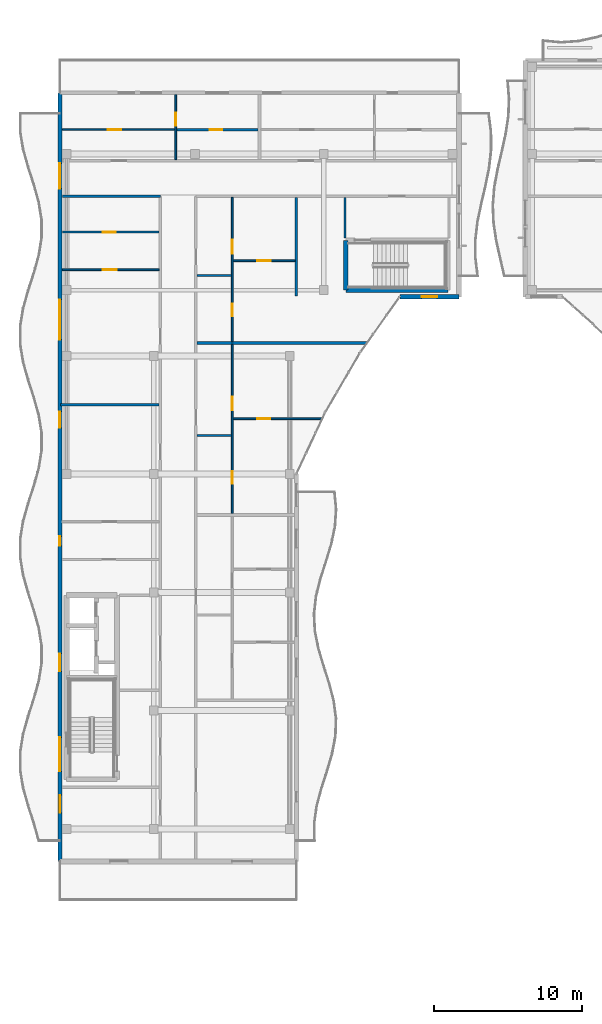
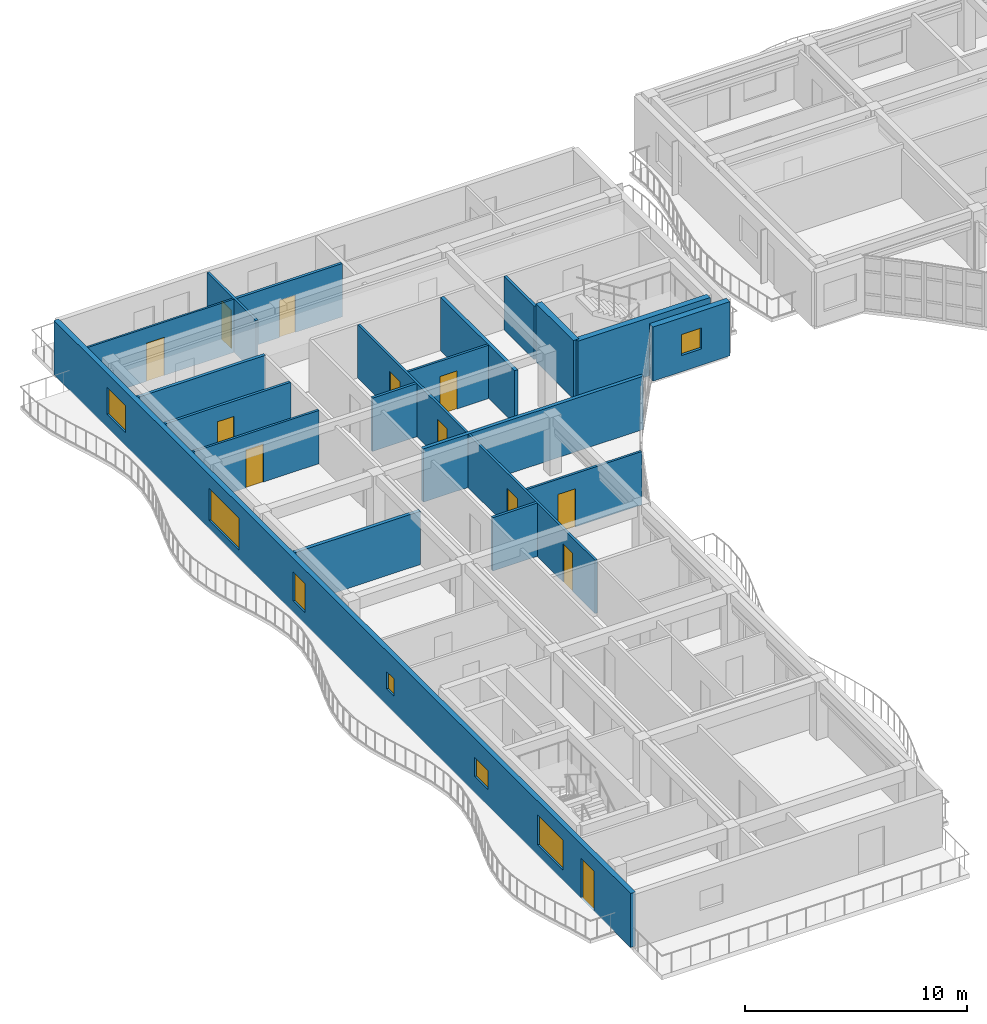
# One storey, part 33 of 71: 20 walls, 12 doors, 7 windows, 19 openings.
"""IFC4 building model written with IfcOpenShell, lengths in metres."""

from ifc_helpers import new_model, si_unit, direction, frame, frame_2d, origin, place, context, subcontext, project, spatial, rectangle, extrude, material, layer, layer_set, type_object, element, fill, save


model = new_model("IFC4")

# Units and contexts
model_context = context("Model", 3, precision=1e-05, world=origin(), true_north=direction((0.0, 1.0)))
body_context = subcontext(model_context, "Body", "Model", "MODEL_VIEW")
ifc_project = project(units=[si_unit("LENGTHUNIT", "METRE"), si_unit("AREAUNIT", "SQUARE_METRE"), si_unit("VOLUMEUNIT", "CUBIC_METRE"), si_unit("PLANEANGLEUNIT", "RADIAN"), si_unit("MASSUNIT", "GRAM", prefix="KILO")], contexts=[model_context])

# Site, building, storey
site_placement = place(None, origin())
site = spatial("IfcSite", under=ifc_project, at=site_placement, CompositionType="ELEMENT")
building_placement = place(site_placement, origin())
building = spatial("IfcBuilding", under=site, at=building_placement, Name="Keldmere Railside Commons", CompositionType="ELEMENT")
storey_placement = place(building_placement, frame((0.0, 0.0, 20.159912109375)))
storey = spatial("IfcBuildingStorey", under=building, at=storey_placement, Name="L06", CompositionType="ELEMENT", Elevation=20.159912109375)

# Walls
ifc_material_1 = material(Name="Acoustic Gypsum Board Partition", Category="gypsum")
ifc_layer_1 = layer(ifc_material_1, 0.179931640625, Name="Acoustic Demising Partition 180")
ifc_layer_set_1 = layer_set([ifc_layer_1], Name="Acoustic Gypsum Board Partition")
wall_type_1 = type_object("IfcWallType", Name="Acoustic Demising Partition 180", PredefinedType="PARTITIONING", material=ifc_layer_set_1)
wall_1_placement = place(storey_placement, frame((24.0, 100.050048828125, 0.0), z_axis=(0.0, 0.0, 1.0), x_axis=(0.0, 1.0, 0.0)))
element("IfcWall", 1, at=wall_1_placement, inside=storey, type_object=wall_type_1, Name="IW-1 IW-L06-0413", PredefinedType="PARTITIONING", context=body_context, shape_type="SweptSolid", body=[
    extrude(rectangle(XDim=6.669921875, YDim=0.179931640625, at=frame_2d((3.3349609375, 0.0))), origin(), (0.0, 0.0, 1.0), 2.93505859375),
])
wall_2_placement = place(storey_placement, frame((17.280029296875, 96.8701171875, 0.0), z_axis=(0.0, 0.0, 1.0), x_axis=(1.0, 0.0, 0.0)))
element("IfcWall", 2, at=wall_2_placement, inside=storey, type_object=wall_type_1, Name="IW-1 IW-L06-0418", PredefinedType="PARTITIONING", context=body_context, shape_type="SweptSolid", body=[
    extrude(rectangle(XDim=11.44873046875, YDim=0.179931640625, at=frame_2d((5.724365234375, 0.0))), origin(), (0.0, 0.0, 1.0), 2.93505859375),
])
wall_3_placement = place(storey_placement, frame((8.0400390625, 92.699951171875, 0.0), z_axis=(0.0, 0.0, 1.0), x_axis=(1.0, 0.0, 0.0)))
element("IfcWall", 3, at=wall_3_placement, inside=storey, type_object=wall_type_1, Name="IW-1 IW-L06-0436", PredefinedType="PARTITIONING", context=body_context, shape_type="SweptSolid", body=[
    extrude(rectangle(XDim=6.679931640625, YDim=0.179931640625, at=frame_2d((3.33984375, 0.0))), origin(), (0.0, 0.0, 1.0), 2.93505859375),
])

# Wall, openings, doors
ifc_layer_2 = layer(ifc_material_1, 0.1201171875, Name="Apartment Interior Partition 120")
ifc_layer_set_2 = layer_set([ifc_layer_2], Name="Acoustic Gypsum Board Partition")
wall_type_2 = type_object("IfcWallType", Name="Apartment Interior Partition 120", PredefinedType="PARTITIONING", material=ifc_layer_set_2)
wall_4_placement = place(storey_placement, frame((19.659912109375, 85.330078125, 0.0), z_axis=(0.0, 0.0, 1.0), x_axis=(0.0, 1.0, 0.0)))
wall_4 = element("IfcWall", 4, at=wall_4_placement, inside=storey, type_object=wall_type_2, Name="IW-4 IW-L06-0423", PredefinedType="PARTITIONING", context=body_context, shape_type="SweptSolid", body=[
    extrude(rectangle(XDim=11.449951171875, YDim=0.1201171875, at=frame_2d((5.72509765625, 0.0))), origin(), (0.0, 0.0, 1.0), 2.93505859375),
])
opening_1_placement = place(wall_4_placement, frame((2.002685546875, 0.0, 0.0)))
opening_1 = element("IfcOpeningElement", 5, at=opening_1_placement, cuts=wall_4, Name="Opening ID-04", PredefinedType="OPENING", context=body_context, shape_type="SweptSolid", body=[
    extrude(rectangle(XDim=0.860107421875, YDim=2.10009765625, at=frame_2d((0.43017578125, 1.050048828125))), frame((0.0, 0.070068359375, 0.0), z_axis=(0.0, -1.0, 0.0), x_axis=(1.0, 0.0, 0.0)), (0.0, 0.0, 1.0), 0.14013671875),
])
opening_2_placement = place(wall_4_placement, frame((7.00048828125, 0.0, 0.0)))
opening_2 = element("IfcOpeningElement", 6, at=opening_2_placement, cuts=wall_4, Name="Opening ID-03", PredefinedType="OPENING", context=body_context, shape_type="SweptSolid", body=[
    extrude(rectangle(XDim=0.919921875, YDim=2.10009765625, at=frame_2d((0.4599609375, 1.050048828125))), frame((0.0, 0.070068359375, 0.0), z_axis=(0.0, -1.0, 0.0), x_axis=(1.0, 0.0, 0.0)), (0.0, 0.0, 1.0), 0.14013671875),
])
ifc_material_2 = material(Name="Engineered Oak Timber", Category="wood")
door_type_1 = type_object("IfcDoorType", Name="Apartment Bathroom Door 860x2100", OperationType="NOTDEFINED", PredefinedType="DOOR", material=ifc_material_2)
door_1_placement = place(opening_1_placement, origin())
door_1 = element("IfcDoor", 7, at=door_1_placement, inside=storey, type_object=door_type_1, Name="ID-04 IDR-L06-0322", OperationType="SINGLE_SWING_RIGHT", OverallHeight=2.10009765625, OverallWidth=0.860107421875, PredefinedType="DOOR", context=body_context, shape_type="SweptSolid", body=[
    extrude(rectangle(XDim=0.860107421875, YDim=2.10009765625, at=frame_2d((0.43017578125, 1.050048828125))), frame((0.0, 0.02490234375, 0.0), z_axis=(0.0, -1.0, 0.0), x_axis=(1.0, 0.0, 0.0)), (0.0, 0.0, 1.0), 0.050048828125),
])
fill(opening_1, door_1)
door_type_2 = type_object("IfcDoorType", Name="Kitchen Pocket-Frame Swing Door 920x2100", OperationType="NOTDEFINED", PredefinedType="DOOR", material=ifc_material_2)
door_2_placement = place(opening_2_placement, origin())
door_2 = element("IfcDoor", 8, at=door_2_placement, inside=storey, type_object=door_type_2, Name="ID-03 IDR-L06-0323", OperationType="SINGLE_SWING_LEFT", OverallHeight=2.10009765625, OverallWidth=0.919921875, PredefinedType="DOOR", context=body_context, shape_type="SweptSolid", body=[
    extrude(rectangle(XDim=0.919921875, YDim=2.10009765625, at=frame_2d((0.4599609375, 1.050048828125))), frame((0.0, 0.02490234375, 0.0), z_axis=(0.0, -1.0, 0.0), x_axis=(1.0, 0.0, 0.0)), (0.0, 0.0, 1.0), 0.050048828125),
])
fill(opening_2, door_2)

# Wall, opening, door
wall_5_placement = place(storey_placement, frame((19.719970703125, 91.739990234375, 0.0), z_axis=(0.0, 0.0, 1.0), x_axis=(1.0, 0.0, 0.0)))
wall_5 = element("IfcWall", 9, at=wall_5_placement, inside=storey, type_object=wall_type_2, Name="IW-4 IW-L06-0425", PredefinedType="PARTITIONING", context=body_context, shape_type="SweptSolid", body=[
    extrude(rectangle(XDim=5.99072265625, YDim=0.1201171875, at=frame_2d((2.995361328125, 0.0))), origin(), (0.0, 0.0, 1.0), 2.93505859375),
])
opening_3_placement = place(wall_5_placement, frame((1.625, 0.0, 0.0)))
opening_3 = element("IfcOpeningElement", 10, at=opening_3_placement, cuts=wall_5, Name="Opening ID-01", PredefinedType="OPENING", context=body_context, shape_type="SweptSolid", body=[
    extrude(rectangle(XDim=0.89990234375, YDim=2.10009765625, at=frame_2d((0.449951171875, 1.050048828125))), frame((0.0, 0.070068359375, 0.0), z_axis=(0.0, -1.0, 0.0), x_axis=(1.0, 0.0, 0.0)), (0.0, 0.0, 1.0), 0.14013671875),
])
door_type_3 = type_object("IfcDoorType", Name="Primary Bedroom Door 900x2100", OperationType="NOTDEFINED", PredefinedType="DOOR", material=ifc_material_2)
door_3_placement = place(opening_3_placement, origin())
door_3 = element("IfcDoor", 11, at=door_3_placement, inside=storey, type_object=door_type_3, Name="ID-01 IDR-L06-0325", OperationType="SINGLE_SWING_LEFT", OverallHeight=2.10009765625, OverallWidth=0.89990234375, PredefinedType="DOOR", context=body_context, shape_type="SweptSolid", body=[
    extrude(rectangle(XDim=0.89990234375, YDim=2.10009765625, at=frame_2d((0.449951171875, 1.050048828125))), frame((0.0, 0.02490234375, 0.0), z_axis=(0.0, -1.0, 0.0), x_axis=(1.0, 0.0, 0.0)), (0.0, 0.0, 1.0), 0.050048828125),
])
fill(opening_3, door_3)

# Wall, openings, doors
wall_6_placement = place(storey_placement, frame((19.659912109375, 96.9599609375, 0.0), z_axis=(0.0, 0.0, 1.0), x_axis=(0.0, 1.0, 0.0)))
wall_6 = element("IfcWall", 12, at=wall_6_placement, inside=storey, type_object=wall_type_2, Name="IW-4 IW-L06-0426", PredefinedType="PARTITIONING", context=body_context, shape_type="SweptSolid", body=[
    extrude(rectangle(XDim=9.760009765625, YDim=0.1201171875, at=frame_2d((4.8798828125, 0.0))), origin(), (0.0, 0.0, 1.0), 2.93505859375),
])
opening_4_placement = place(wall_6_placement, frame((1.706298828125, 0.0, 0.0)))
opening_4 = element("IfcOpeningElement", 13, at=opening_4_placement, cuts=wall_6, Name="Opening ID-04", PredefinedType="OPENING", context=body_context, shape_type="SweptSolid", body=[
    extrude(rectangle(XDim=0.860107421875, YDim=2.10009765625, at=frame_2d((0.43017578125, 1.050048828125))), frame((0.0, 0.070068359375, 0.0), z_axis=(0.0, -1.0, 0.0), x_axis=(1.0, 0.0, 0.0)), (0.0, 0.0, 1.0), 0.14013671875),
])
opening_5_placement = place(wall_6_placement, frame((5.965576171875, 0.0, 0.0)))
opening_5 = element("IfcOpeningElement", 14, at=opening_5_placement, cuts=wall_6, Name="Opening ID-03", PredefinedType="OPENING", context=body_context, shape_type="SweptSolid", body=[
    extrude(rectangle(XDim=0.919921875, YDim=2.10009765625, at=frame_2d((0.4599609375, 1.050048828125))), frame((0.0, 0.070068359375, 0.0), z_axis=(0.0, -1.0, 0.0), x_axis=(1.0, 0.0, 0.0)), (0.0, 0.0, 1.0), 0.14013671875),
])
door_4_placement = place(opening_4_placement, origin())
door_4 = element("IfcDoor", 15, at=door_4_placement, inside=storey, type_object=door_type_1, Name="ID-04 IDR-L06-0326", OperationType="SINGLE_SWING_RIGHT", OverallHeight=2.10009765625, OverallWidth=0.860107421875, PredefinedType="DOOR", context=body_context, shape_type="SweptSolid", body=[
    extrude(rectangle(XDim=0.860107421875, YDim=2.10009765625, at=frame_2d((0.43017578125, 1.050048828125))), frame((0.0, 0.02490234375, 0.0), z_axis=(0.0, -1.0, 0.0), x_axis=(1.0, 0.0, 0.0)), (0.0, 0.0, 1.0), 0.050048828125),
])
fill(opening_4, door_4)
door_5_placement = place(opening_5_placement, origin())
door_5 = element("IfcDoor", 16, at=door_5_placement, inside=storey, type_object=door_type_2, Name="ID-03 IDR-L06-0327", OperationType="SINGLE_SWING_LEFT", OverallHeight=2.10009765625, OverallWidth=0.919921875, PredefinedType="DOOR", context=body_context, shape_type="SweptSolid", body=[
    extrude(rectangle(XDim=0.919921875, YDim=2.10009765625, at=frame_2d((0.4599609375, 1.050048828125))), frame((0.0, 0.02490234375, 0.0), z_axis=(0.0, -1.0, 0.0), x_axis=(1.0, 0.0, 0.0)), (0.0, 0.0, 1.0), 0.050048828125),
])
fill(opening_5, door_5)

# Wall, opening, door
wall_7_placement = place(storey_placement, frame((19.719970703125, 102.429931640625, 0.0), z_axis=(0.0, 0.0, 1.0), x_axis=(1.0, 0.0, 0.0)))
wall_7 = element("IfcWall", 17, at=wall_7_placement, inside=storey, type_object=wall_type_2, Name="IW-4 IW-L06-0428", PredefinedType="PARTITIONING", context=body_context, shape_type="SweptSolid", body=[
    extrude(rectangle(XDim=4.18994140625, YDim=0.1201171875, at=frame_2d((2.094970703125, 0.0))), origin(), (0.0, 0.0, 1.0), 2.93505859375),
])
opening_6_placement = place(wall_7_placement, frame((1.64501953125, 0.0, 0.0)))
opening_6 = element("IfcOpeningElement", 18, at=opening_6_placement, cuts=wall_7, Name="Opening ID-01", PredefinedType="OPENING", context=body_context, shape_type="SweptSolid", body=[
    extrude(rectangle(XDim=0.89990234375, YDim=2.10009765625, at=frame_2d((0.449951171875, 1.050048828125))), frame((0.0, 0.070068359375, 0.0), z_axis=(0.0, -1.0, 0.0), x_axis=(1.0, 0.0, 0.0)), (0.0, 0.0, 1.0), 0.14013671875),
])
door_6_placement = place(opening_6_placement, origin())
door_6 = element("IfcDoor", 19, at=door_6_placement, inside=storey, type_object=door_type_3, Name="ID-01 IDR-L06-0329", OperationType="SINGLE_SWING_LEFT", OverallHeight=2.10009765625, OverallWidth=0.89990234375, PredefinedType="DOOR", context=body_context, shape_type="SweptSolid", body=[
    extrude(rectangle(XDim=0.89990234375, YDim=2.10009765625, at=frame_2d((0.449951171875, 1.050048828125))), frame((0.0, 0.02490234375, 0.0), z_axis=(0.0, -1.0, 0.0), x_axis=(1.0, 0.0, 0.0)), (0.0, 0.0, 1.0), 0.050048828125),
])
fill(opening_6, door_6)

wall_8_placement = place(storey_placement, frame((15.840087890625, 109.280029296875, 0.0), z_axis=(0.0, 0.0, 1.0), x_axis=(0.0, 1.0, 0.0)))
wall_8 = element("IfcWall", 20, at=wall_8_placement, inside=storey, type_object=wall_type_2, Name="IW-4 IW-L06-0430", PredefinedType="PARTITIONING", context=body_context, shape_type="SweptSolid", body=[
    extrude(rectangle(XDim=4.389892578125, YDim=0.1201171875, at=frame_2d((2.19482421875, 0.0))), origin(), (0.0, 0.0, 1.0), 2.93505859375),
])
opening_7_placement = place(wall_8_placement, frame((2.29638671875, 0.0, 0.0)))
opening_7 = element("IfcOpeningElement", 21, at=opening_7_placement, cuts=wall_8, Name="Opening ID-04", PredefinedType="OPENING", context=body_context, shape_type="SweptSolid", body=[
    extrude(rectangle(XDim=0.860107421875, YDim=2.10009765625, at=frame_2d((0.43017578125, 1.050048828125))), frame((0.0, 0.070068359375, 0.0), z_axis=(0.0, -1.0, 0.0), x_axis=(1.0, 0.0, 0.0)), (0.0, 0.0, 1.0), 0.14013671875),
])
door_7_placement = place(opening_7_placement, origin())
door_7 = element("IfcDoor", 22, at=door_7_placement, inside=storey, type_object=door_type_1, Name="ID-04 IDR-L06-0332", OperationType="SINGLE_SWING_RIGHT", OverallHeight=2.10009765625, OverallWidth=0.860107421875, PredefinedType="DOOR", context=body_context, shape_type="SweptSolid", body=[
    extrude(rectangle(XDim=0.860107421875, YDim=2.10009765625, at=frame_2d((0.43017578125, 1.050048828125))), frame((0.0, 0.02490234375, 0.0), z_axis=(0.0, -1.0, 0.0), x_axis=(1.0, 0.0, 0.0)), (0.0, 0.0, 1.0), 0.050048828125),
])
fill(opening_7, door_7)

wall_9_placement = place(storey_placement, frame((8.159912109375, 101.820068359375, 0.0), z_axis=(0.0, 0.0, 1.0), x_axis=(1.0, 0.0, 0.0)))
wall_9 = element("IfcWall", 23, at=wall_9_placement, inside=storey, type_object=wall_type_2, Name="IW-4 IW-L06-0439", PredefinedType="PARTITIONING", context=body_context, shape_type="SweptSolid", body=[
    extrude(rectangle(XDim=6.56005859375, YDim=0.1201171875, at=frame_2d((3.280029296875, 0.0))), origin(), (0.0, 0.0, 1.0), 2.93505859375),
])
opening_8_placement = place(wall_9_placement, frame((2.755126953125, 0.0, 0.0)))
opening_8 = element("IfcOpeningElement", 24, at=opening_8_placement, cuts=wall_9, Name="Opening ID-03", PredefinedType="OPENING", context=body_context, shape_type="SweptSolid", body=[
    extrude(rectangle(XDim=0.919921875, YDim=2.10009765625, at=frame_2d((0.4599609375, 1.050048828125))), frame((0.0, 0.070068359375, 0.0), z_axis=(0.0, -1.0, 0.0), x_axis=(1.0, 0.0, 0.0)), (0.0, 0.0, 1.0), 0.14013671875),
])
door_8_placement = place(opening_8_placement, origin())
door_8 = element("IfcDoor", 25, at=door_8_placement, inside=storey, type_object=door_type_2, Name="ID-03 IDR-L06-0344", OperationType="SINGLE_SWING_RIGHT", OverallHeight=2.10009765625, OverallWidth=0.919921875, PredefinedType="DOOR", context=body_context, shape_type="SweptSolid", body=[
    extrude(rectangle(XDim=0.919921875, YDim=2.10009765625, at=frame_2d((0.4599609375, 1.050048828125))), frame((0.0, 0.02490234375, 0.0), z_axis=(0.0, -1.0, 0.0), x_axis=(1.0, 0.0, 0.0)), (0.0, 0.0, 1.0), 0.050048828125),
])
fill(opening_8, door_8)

ifc_layer_3 = layer(ifc_material_1, 0.10009765625, Name="Closet Light Partition 100")
ifc_layer_set_3 = layer_set([ifc_layer_3], Name="Acoustic Gypsum Board Partition")
wall_type_3 = type_object("IfcWallType", Name="Closet Light Partition 100", PredefinedType="PARTITIONING", material=ifc_layer_set_3)
wall_10_placement = place(storey_placement, frame((8.159912109375, 111.300048828125, 0.0), z_axis=(0.0, 0.0, 1.0), x_axis=(1.0, 0.0, 0.0)))
wall_10 = element("IfcWall", 26, at=wall_10_placement, inside=storey, type_object=wall_type_3, Name="IW-6 IW-L06-0432", PredefinedType="PARTITIONING", context=body_context, shape_type="SweptSolid", body=[
    extrude(rectangle(XDim=7.6201171875, YDim=0.10009765625, at=frame_2d((3.81005859375, 0.0))), origin(), (0.0, 0.0, 1.0), 2.93505859375),
])
opening_9_placement = place(wall_10_placement, frame((3.072021484375, 0.0, 0.0)))
opening_9 = element("IfcOpeningElement", 27, at=opening_9_placement, cuts=wall_10, Name="Opening ID-03", PredefinedType="OPENING", context=body_context, shape_type="SweptSolid", body=[
    extrude(rectangle(XDim=0.919921875, YDim=2.10009765625, at=frame_2d((0.4599609375, 1.050048828125))), frame((0.0, 0.06005859375, 0.0), z_axis=(0.0, -1.0, 0.0), x_axis=(1.0, 0.0, 0.0)), (0.0, 0.0, 1.0), 0.1201171875),
])
door_9_placement = place(opening_9_placement, origin())
door_9 = element("IfcDoor", 28, at=door_9_placement, inside=storey, type_object=door_type_2, Name="ID-03 IDR-L06-0331", OperationType="SINGLE_SWING_LEFT", OverallHeight=2.10009765625, OverallWidth=0.919921875, PredefinedType="DOOR", context=body_context, shape_type="SweptSolid", body=[
    extrude(rectangle(XDim=0.919921875, YDim=2.10009765625, at=frame_2d((0.4599609375, 1.050048828125))), frame((0.0, 0.02490234375, 0.0), z_axis=(0.0, -1.0, 0.0), x_axis=(1.0, 0.0, 0.0)), (0.0, 0.0, 1.0), 0.050048828125),
])
fill(opening_9, door_9)

# Wall
ifc_layer_4 = layer(ifc_material_1, 0.159912109375, Name="Corridor Fire Partition 160")
ifc_layer_set_4 = layer_set([ifc_layer_4], Name="Acoustic Gypsum Board Partition")
wall_type_4 = type_object("IfcWallType", Name="Corridor Fire Partition 160", PredefinedType="PARTITIONING", material=ifc_layer_set_4)
wall_11_placement = place(storey_placement, frame((8.159912109375, 106.800048828125, 0.0), z_axis=(0.0, 0.0, 1.0), x_axis=(1.0, 0.0, 0.0)))
element("IfcWall", 29, at=wall_11_placement, inside=storey, type_object=wall_type_4, Name="IW-2 IW-L06-0410", PredefinedType="PARTITIONING", context=body_context, shape_type="SweptSolid", body=[
    extrude(rectangle(XDim=6.64013671875, YDim=0.159912109375, at=frame_2d((3.320068359375, 0.0))), origin(), (0.0, 0.0, 1.0), 2.93505859375),
])

# Wall, opening, window
ifc_material_3 = material(Name="Concrete H-35 (C35/45)", Category="concrete")
ifc_layer_5 = layer(ifc_material_3, 0.320068359375, Name="Exterior Shear Wall 320")
ifc_layer_set_5 = layer_set([ifc_layer_5], Name="Concrete H-35 (C35/45)")
wall_type_5 = type_object("IfcWallType", Name="Exterior Shear Wall 320", PredefinedType="SHEAR", material=ifc_layer_set_5)
wall_12_placement = place(storey_placement, frame((35.0, 100.0, 0.0), z_axis=(0.0, 0.0, 1.0), x_axis=(-1.0, 0.0, 0.0)))
wall_12 = element("IfcWall", 30, at=wall_12_placement, inside=storey, type_object=wall_type_5, Name="ESW-2 EXTD-L06-0166", PredefinedType="SHEAR", context=body_context, shape_type="SweptSolid", body=[
    extrude(rectangle(XDim=4.0, YDim=0.320068359375, at=frame_2d((2.0, 0.0))), origin(), (0.0, 0.0, 1.0), 2.97998046875),
])
opening_10_placement = place(wall_12_placement, frame((1.47509765625, 0.0, 0.89990234375)))
opening_10 = element("IfcOpeningElement", 31, at=opening_10_placement, cuts=wall_12, Name="Opening WN-13", PredefinedType="OPENING", context=body_context, shape_type="SweptSolid", body=[
    extrude(rectangle(XDim=1.050048828125, YDim=1.14990234375, at=frame_2d((0.52490234375, 0.574951171875))), frame((0.0, 0.169921875, 0.0), z_axis=(0.0, -1.0, 0.0), x_axis=(1.0, 0.0, 0.0)), (0.0, 0.0, 1.0), 0.340087890625),
])
ifc_material_4 = material(Name="Low-E Insulated Double Glazing", Category="glass")
window_type_1 = type_object("IfcWindowType", Name="Apartment Kitchen Casement Window 1050x1150", PartitioningType="SINGLE_PANEL", PredefinedType="WINDOW", material=ifc_material_4)
window_1_placement = place(opening_10_placement, origin())
window_1 = element("IfcWindow", 32, at=window_1_placement, inside=storey, type_object=window_type_1, Name="WN-13 WIN-L06-0121", OverallHeight=1.14990234375, OverallWidth=1.050048828125, PartitioningType="SINGLE_PANEL", PredefinedType="WINDOW", context=body_context, shape_type="SweptSolid", body=[
    extrude(rectangle(XDim=1.050048828125, YDim=1.14990234375, at=frame_2d((0.52490234375, 0.574951171875))), frame((0.0, 0.030029296875, 0.0), z_axis=(0.0, -1.0, 0.0), x_axis=(1.0, 0.0, 0.0)), (0.0, 0.0, 1.0), 0.06005859375),
])
fill(opening_10, window_1)

# Walls
ifc_layer_6 = layer(ifc_material_3, 0.300048828125, Name="Interior Shear Wall 300")
ifc_layer_set_6 = layer_set([ifc_layer_6], Name="Concrete H-35 (C35/45)")
wall_type_6 = type_object("IfcWallType", Name="Interior Shear Wall 300", PredefinedType="SHEAR", material=ifc_layer_set_6)
wall_13_placement = place(storey_placement, frame((27.35009765625, 100.449951171875, 0.0), z_axis=(0.0, 0.0, 1.0), x_axis=(1.0, 0.0, 0.0)))
element("IfcWall", 33, at=wall_13_placement, inside=storey, type_object=wall_type_6, Name="ISW-2 CORED2S-L06-0107", PredefinedType="SHEAR", context=body_context, shape_type="SweptSolid", body=[
    extrude(rectangle(XDim=6.89990234375, YDim=0.300048828125, at=frame_2d((3.449951171875, 0.0))), origin(), (0.0, 0.0, 1.0), 3.2001953125),
])
wall_14_placement = place(storey_placement, frame((27.35009765625, 103.820068359375, 0.0), z_axis=(0.0, 0.0, 1.0), x_axis=(0.0, -1.0, 0.0)))
element("IfcWall", 34, at=wall_14_placement, inside=storey, type_object=wall_type_6, Name="ISW-2 CORED2W-L06-0109", PredefinedType="SHEAR", context=body_context, shape_type="SweptSolid", body=[
    extrude(rectangle(XDim=3.3701171875, YDim=0.300048828125, at=frame_2d((1.68505859375, 0.0))), origin(), (0.0, 0.0, 1.0), 3.2001953125),
])
ifc_layer_7 = layer(ifc_material_1, 0.14990234375, Name="Lobby Rated Partition 150")
ifc_layer_set_7 = layer_set([ifc_layer_7], Name="Acoustic Gypsum Board Partition")
wall_type_7 = type_object("IfcWallType", Name="Lobby Rated Partition 150", PredefinedType="PARTITIONING", material=ifc_layer_set_7)
wall_15_placement = place(storey_placement, frame((27.280029296875, 103.989990234375, 0.0), z_axis=(0.0, 0.0, 1.0), x_axis=(0.0, 1.0, 0.0)))
element("IfcWall", 35, at=wall_15_placement, inside=storey, type_object=wall_type_7, Name="IW-3 IW-L06-0414", PredefinedType="PARTITIONING", context=body_context, shape_type="SweptSolid", body=[
    extrude(rectangle(XDim=2.72998046875, YDim=0.14990234375, at=frame_2d((1.364990234375, 0.0))), origin(), (0.0, 0.0, 1.0), 2.93505859375),
])

# Wall, openings, windows, door
ifc_material_5 = material(Name="Terracotta Brick Masonry", Category="masonry")
ifc_layer_8 = layer(ifc_material_5, 0.260009765625, Name="Terracotta Cavity Wall 260")
ifc_layer_set_8 = layer_set([ifc_layer_8], Name="Terracotta Brick Masonry")
wall_type_8 = type_object("IfcWallType", Name="Terracotta Cavity Wall 260", PredefinedType="SOLIDWALL", material=ifc_layer_set_8)
wall_16_placement = place(storey_placement, frame((8.0, 61.800048828125, 0.0), z_axis=(0.0, 0.0, 1.0), x_axis=(0.0, 1.0, 0.0)))
wall_16 = element("IfcWall", 36, at=wall_16_placement, inside=storey, type_object=wall_type_8, Name="EW-1 EXTD-L06-0169", PredefinedType="SOLIDWALL", context=body_context, shape_type="SweptSolid", body=[
    extrude(rectangle(XDim=52.0, YDim=0.260009765625, at=frame_2d((26.0, 0.0))), origin(), (0.0, 0.0, 1.0), 2.97998046875),
])
opening_11_placement = place(wall_16_placement, frame((3.283203125, 0.0, 0.0)))
opening_11 = element("IfcOpeningElement", 37, at=opening_11_placement, cuts=wall_16, Name="Opening BD-01", PredefinedType="OPENING", context=body_context, shape_type="SweptSolid", body=[
    extrude(rectangle(XDim=1.199951171875, YDim=2.199951171875, at=frame_2d((0.60009765625, 1.10009765625))), frame((0.0, 0.139892578125, 0.0), z_axis=(0.0, -1.0, 0.0), x_axis=(1.0, 0.0, 0.0)), (0.0, 0.0, 1.0), 0.280029296875),
])
opening_12_placement = place(wall_16_placement, frame((6.083251953125, 0.0, 0.570068359375)))
opening_12 = element("IfcOpeningElement", 38, at=opening_12_placement, cuts=wall_16, Name="Opening WN-23", PredefinedType="OPENING", context=body_context, shape_type="SweptSolid", body=[
    extrude(rectangle(XDim=2.300048828125, YDim=1.64990234375, at=frame_2d((1.14990234375, 0.824951171875))), frame((0.0, 0.139892578125, 0.0), z_axis=(0.0, -1.0, 0.0), x_axis=(1.0, 0.0, 0.0)), (0.0, 0.0, 1.0), 0.280029296875),
])
opening_13_placement = place(wall_16_placement, frame((12.85009765625, 0.0, 0.89990234375)))
opening_13 = element("IfcOpeningElement", 39, at=opening_13_placement, cuts=wall_16, Name="Opening WN-14", PredefinedType="OPENING", context=body_context, shape_type="SweptSolid", body=[
    extrude(rectangle(XDim=1.199951171875, YDim=1.050048828125, at=frame_2d((0.60009765625, 0.52490234375))), frame((0.0, 0.139892578125, 0.0), z_axis=(0.0, -1.0, 0.0), x_axis=(1.0, 0.0, 0.0)), (0.0, 0.0, 1.0), 0.280029296875),
])
opening_14_placement = place(wall_16_placement, frame((21.341796875, 0.0, 0.89990234375)))
opening_14 = element("IfcOpeningElement", 40, at=opening_14_placement, cuts=wall_16, Name="Opening WN-15", PredefinedType="OPENING", context=body_context, shape_type="SweptSolid", body=[
    extrude(rectangle(XDim=0.64990234375, YDim=0.949951171875, at=frame_2d((0.324951171875, 0.47509765625))), frame((0.0, 0.139892578125, 0.0), z_axis=(0.0, -1.0, 0.0), x_axis=(1.0, 0.0, 0.0)), (0.0, 0.0, 1.0), 0.280029296875),
])
opening_15_placement = place(wall_16_placement, frame((29.333251953125, 0.0, 0.6201171875)))
opening_15 = element("IfcOpeningElement", 41, at=opening_15_placement, cuts=wall_16, Name="Opening WN-16", PredefinedType="OPENING", context=body_context, shape_type="SweptSolid", body=[
    extrude(rectangle(XDim=1.10009765625, YDim=1.60009765625, at=frame_2d((0.550048828125, 0.800048828125))), frame((0.0, 0.139892578125, 0.0), z_axis=(0.0, -1.0, 0.0), x_axis=(1.0, 0.0, 0.0)), (0.0, 0.0, 1.0), 0.280029296875),
])
opening_16_placement = place(wall_16_placement, frame((35.300048828125, 0.0, 0.469970703125)))
opening_16 = element("IfcOpeningElement", 42, at=opening_16_placement, cuts=wall_16, Name="Opening WN-19", PredefinedType="OPENING", context=body_context, shape_type="SweptSolid", body=[
    extrude(rectangle(XDim=2.699951171875, YDim=1.75, at=frame_2d((1.35009765625, 0.875))), frame((0.0, 0.139892578125, 0.0), z_axis=(0.0, -1.0, 0.0), x_axis=(1.0, 0.0, 0.0)), (0.0, 0.0, 1.0), 0.280029296875),
])
opening_17_placement = place(wall_16_placement, frame((45.5166015625, 0.0, 0.719970703125)))
opening_17 = element("IfcOpeningElement", 43, at=opening_17_placement, cuts=wall_16, Name="Opening WN-20", PredefinedType="OPENING", context=body_context, shape_type="SweptSolid", body=[
    extrude(rectangle(XDim=1.699951171875, YDim=1.5, at=frame_2d((0.85009765625, 0.75))), frame((0.0, 0.139892578125, 0.0), z_axis=(0.0, -1.0, 0.0), x_axis=(1.0, 0.0, 0.0)), (0.0, 0.0, 1.0), 0.280029296875),
])
window_type_2 = type_object("IfcWindowType", Name="Apartment Kitchen Ribbon Window 1200x1050", PartitioningType="SINGLE_PANEL", PredefinedType="WINDOW", material=ifc_material_4)
window_2_placement = place(opening_13_placement, origin())
window_2 = element("IfcWindow", 44, at=window_2_placement, inside=storey, type_object=window_type_2, Name="WN-14 WIN-L06-0127", OverallHeight=1.050048828125, OverallWidth=1.199951171875, PartitioningType="SINGLE_PANEL", PredefinedType="WINDOW", context=body_context, shape_type="SweptSolid", body=[
    extrude(rectangle(XDim=1.199951171875, YDim=1.050048828125, at=frame_2d((0.60009765625, 0.52490234375))), frame((0.0, 0.030029296875, 0.0), z_axis=(0.0, -1.0, 0.0), x_axis=(1.0, 0.0, 0.0)), (0.0, 0.0, 1.0), 0.06005859375),
])
fill(opening_13, window_2)
ifc_material_6 = material(Name="Thermally Broken Aluminium", Category="aluminium")
door_type_4 = type_object("IfcDoorType", Name="Apartment Living Wave-Balcony Glazed Door 1200x2200", OperationType="NOTDEFINED", PredefinedType="DOOR", material=ifc_material_6)
door_10_placement = place(opening_11_placement, origin())
door_10 = element("IfcDoor", 45, at=door_10_placement, inside=storey, type_object=door_type_4, Name="BD-01 DR-L06-0041", OperationType="SINGLE_SWING_LEFT", OverallHeight=2.199951171875, OverallWidth=1.199951171875, PredefinedType="DOOR", context=body_context, shape_type="SweptSolid", body=[
    extrude(rectangle(XDim=1.199951171875, YDim=2.199951171875, at=frame_2d((0.60009765625, 1.10009765625))), frame((0.0, 0.02490234375, 0.0), z_axis=(0.0, -1.0, 0.0), x_axis=(1.0, 0.0, 0.0)), (0.0, 0.0, 1.0), 0.050048828125),
])
fill(opening_11, door_10)
window_type_3 = type_object("IfcWindowType", Name="Corridor End Daylight Window 1100x1600", PartitioningType="SINGLE_PANEL", PredefinedType="WINDOW", material=ifc_material_4)
window_3_placement = place(opening_15_placement, origin())
window_3 = element("IfcWindow", 46, at=window_3_placement, inside=storey, type_object=window_type_3, Name="WN-16 WIN-L06-0129", OverallHeight=1.60009765625, OverallWidth=1.10009765625, PartitioningType="SINGLE_PANEL", PredefinedType="WINDOW", context=body_context, shape_type="SweptSolid", body=[
    extrude(rectangle(XDim=1.10009765625, YDim=1.60009765625, at=frame_2d((0.550048828125, 0.800048828125))), frame((0.0, 0.030029296875, 0.0), z_axis=(0.0, -1.0, 0.0), x_axis=(1.0, 0.0, 0.0)), (0.0, 0.0, 1.0), 0.06005859375),
])
fill(opening_15, window_3)
window_type_4 = type_object("IfcWindowType", Name="Exterior Bathroom Frosted Window 650x950", PartitioningType="SINGLE_PANEL", PredefinedType="WINDOW", material=ifc_material_4)
window_4_placement = place(opening_14_placement, origin())
window_4 = element("IfcWindow", 47, at=window_4_placement, inside=storey, type_object=window_type_4, Name="WN-15 WIN-L06-0128", OverallHeight=0.949951171875, OverallWidth=0.64990234375, PartitioningType="SINGLE_PANEL", PredefinedType="WINDOW", context=body_context, shape_type="SweptSolid", body=[
    extrude(rectangle(XDim=0.64990234375, YDim=0.949951171875, at=frame_2d((0.324951171875, 0.47509765625))), frame((0.0, 0.030029296875, 0.0), z_axis=(0.0, -1.0, 0.0), x_axis=(1.0, 0.0, 0.0)), (0.0, 0.0, 1.0), 0.06005859375),
])
fill(opening_14, window_4)
window_type_5 = type_object("IfcWindowType", Name="Resident Lounge Panorama Window 2700x1750", PartitioningType="SINGLE_PANEL", PredefinedType="WINDOW", material=ifc_material_4)
window_5_placement = place(opening_16_placement, origin())
window_5 = element("IfcWindow", 48, at=window_5_placement, inside=storey, type_object=window_type_5, Name="WN-19 WIN-L06-0130", OverallHeight=1.75, OverallWidth=2.699951171875, PartitioningType="SINGLE_PANEL", PredefinedType="WINDOW", context=body_context, shape_type="SweptSolid", body=[
    extrude(rectangle(XDim=2.699951171875, YDim=1.75, at=frame_2d((1.35009765625, 0.875))), frame((0.0, 0.030029296875, 0.0), z_axis=(0.0, -1.0, 0.0), x_axis=(1.0, 0.0, 0.0)), (0.0, 0.0, 1.0), 0.06005859375),
])
fill(opening_16, window_5)
window_type_6 = type_object("IfcWindowType", Name="Setback Terrace Penthouse Window 2300x1650", PartitioningType="SINGLE_PANEL", PredefinedType="WINDOW", material=ifc_material_4)
window_6_placement = place(opening_12_placement, origin())
window_6 = element("IfcWindow", 49, at=window_6_placement, inside=storey, type_object=window_type_6, Name="WN-23 WIN-L06-0126", OverallHeight=1.64990234375, OverallWidth=2.300048828125, PartitioningType="SINGLE_PANEL", PredefinedType="WINDOW", context=body_context, shape_type="SweptSolid", body=[
    extrude(rectangle(XDim=2.300048828125, YDim=1.64990234375, at=frame_2d((1.14990234375, 0.824951171875))), frame((0.0, 0.030029296875, 0.0), z_axis=(0.0, -1.0, 0.0), x_axis=(1.0, 0.0, 0.0)), (0.0, 0.0, 1.0), 0.06005859375),
])
fill(opening_12, window_6)
window_type_7 = type_object("IfcWindowType", Name="Study Room Quiet Casement Window 1700x1500", PartitioningType="SINGLE_PANEL", PredefinedType="WINDOW", material=ifc_material_4)
window_7_placement = place(opening_17_placement, origin())
window_7 = element("IfcWindow", 50, at=window_7_placement, inside=storey, type_object=window_type_7, Name="WN-20 WIN-L06-0131", OverallHeight=1.5, OverallWidth=1.699951171875, PartitioningType="SINGLE_PANEL", PredefinedType="WINDOW", context=body_context, shape_type="SweptSolid", body=[
    extrude(rectangle(XDim=1.699951171875, YDim=1.5, at=frame_2d((0.85009765625, 0.75))), frame((0.0, 0.030029296875, 0.0), z_axis=(0.0, -1.0, 0.0), x_axis=(1.0, 0.0, 0.0)), (0.0, 0.0, 1.0), 0.06005859375),
])
fill(opening_17, window_7)

# Walls
ifc_layer_9 = layer(ifc_material_1, 0.139892578125, Name="Wet-Room Sanitary Partition 140")
ifc_layer_set_9 = layer_set([ifc_layer_9], Name="Acoustic Gypsum Board Partition")
wall_type_9 = type_object("IfcWallType", Name="Wet-Room Sanitary Partition 140", PredefinedType="PARTITIONING", material=ifc_layer_set_9)
for number, where, z_axis, x_axis, name in (
    (51, (17.280029296875, 90.60009765625, 0.0), (0.0, 0.0, 1.0), (1.0, 0.0, 0.0), "IW-5 IW-L06-0424"),
    (52, (17.280029296875, 101.449951171875, 0.0), (0.0, 0.0, 1.0), (1.0, 0.0, 0.0), "IW-5 IW-L06-0427"),
):
    element("IfcWall", number, at=place(storey_placement, frame(where, z_axis=z_axis, x_axis=x_axis)), inside=storey, type_object=wall_type_9, Name=name, PredefinedType="PARTITIONING", context=body_context, shape_type="SweptSolid", body=[
        extrude(rectangle(XDim=2.320068359375, YDim=0.139892578125, at=frame_2d((1.16015625, 0.0))), origin(), (0.0, 0.0, 1.0), 2.93505859375),
    ])

# Wall, opening, door
wall_17_placement = place(storey_placement, frame((15.89990234375, 111.300048828125, 0.0), z_axis=(0.0, 0.0, 1.0), x_axis=(1.0, 0.0, 0.0)))
wall_17 = element("IfcWall", 53, at=wall_17_placement, inside=storey, type_object=wall_type_9, Name="IW-5 IW-L06-0431", PredefinedType="PARTITIONING", context=body_context, shape_type="SweptSolid", body=[
    extrude(rectangle(XDim=5.510009765625, YDim=0.139892578125, at=frame_2d((2.7548828125, 0.0))), origin(), (0.0, 0.0, 1.0), 2.93505859375),
])
opening_18_placement = place(wall_17_placement, frame((2.22802734375, 0.0, 0.0)))
opening_18 = element("IfcOpeningElement", 54, at=opening_18_placement, cuts=wall_17, Name="Opening ID-06", PredefinedType="OPENING", context=body_context, shape_type="SweptSolid", body=[
    extrude(rectangle(XDim=0.85009765625, YDim=2.050048828125, at=frame_2d((0.425048828125, 1.02490234375))), frame((0.0, 0.079833984375, 0.0), z_axis=(0.0, -1.0, 0.0), x_axis=(1.0, 0.0, 0.0)), (0.0, 0.0, 1.0), 0.159912109375),
])
door_type_5 = type_object("IfcDoorType", Name="Storage Closet Door 850x2050", OperationType="NOTDEFINED", PredefinedType="DOOR", material=ifc_material_2)
door_11_placement = place(opening_18_placement, origin())
door_11 = element("IfcDoor", 55, at=door_11_placement, inside=storey, type_object=door_type_5, Name="ID-06 IDR-L06-0333", OperationType="SINGLE_SWING_LEFT", OverallHeight=2.050048828125, OverallWidth=0.85009765625, PredefinedType="DOOR", context=body_context, shape_type="SweptSolid", body=[
    extrude(rectangle(XDim=0.85009765625, YDim=2.050048828125, at=frame_2d((0.425048828125, 1.02490234375))), frame((0.0, 0.02490234375, 0.0), z_axis=(0.0, -1.0, 0.0), x_axis=(1.0, 0.0, 0.0)), (0.0, 0.0, 1.0), 0.050048828125),
])
fill(opening_18, door_11)

wall_18_placement = place(storey_placement, frame((8.159912109375, 104.3701171875, 0.0), z_axis=(0.0, 0.0, 1.0), x_axis=(1.0, 0.0, 0.0)))
wall_18 = element("IfcWall", 56, at=wall_18_placement, inside=storey, type_object=wall_type_9, Name="IW-5 IW-L06-0440", PredefinedType="PARTITIONING", context=body_context, shape_type="SweptSolid", body=[
    extrude(rectangle(XDim=6.56005859375, YDim=0.139892578125, at=frame_2d((3.280029296875, 0.0))), origin(), (0.0, 0.0, 1.0), 2.93505859375),
])
opening_19_placement = place(wall_18_placement, frame((2.755126953125, 0.0, 0.0)))
opening_19 = element("IfcOpeningElement", 57, at=opening_19_placement, cuts=wall_18, Name="Opening ID-04", PredefinedType="OPENING", context=body_context, shape_type="SweptSolid", body=[
    extrude(rectangle(XDim=0.860107421875, YDim=2.10009765625, at=frame_2d((0.43017578125, 1.050048828125))), frame((0.0, 0.079833984375, 0.0), z_axis=(0.0, -1.0, 0.0), x_axis=(1.0, 0.0, 0.0)), (0.0, 0.0, 1.0), 0.159912109375),
])
door_12_placement = place(opening_19_placement, origin())
door_12 = element("IfcDoor", 58, at=door_12_placement, inside=storey, type_object=door_type_1, Name="ID-04 IDR-L06-0343", OperationType="SINGLE_SWING_LEFT", OverallHeight=2.10009765625, OverallWidth=0.860107421875, PredefinedType="DOOR", context=body_context, shape_type="SweptSolid", body=[
    extrude(rectangle(XDim=0.860107421875, YDim=2.10009765625, at=frame_2d((0.43017578125, 1.050048828125))), frame((0.0, 0.02490234375, 0.0), z_axis=(0.0, -1.0, 0.0), x_axis=(1.0, 0.0, 0.0)), (0.0, 0.0, 1.0), 0.050048828125),
])
fill(opening_19, door_12)

save(model, "model.ifc")
